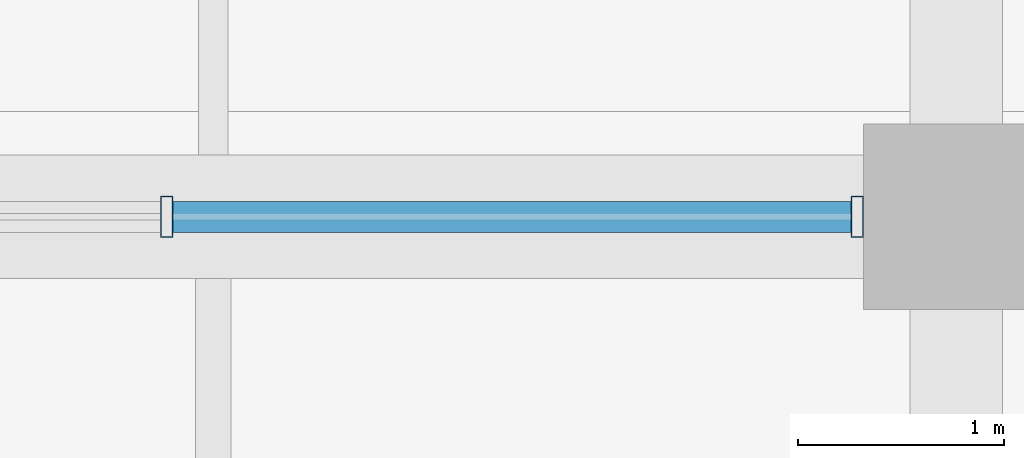
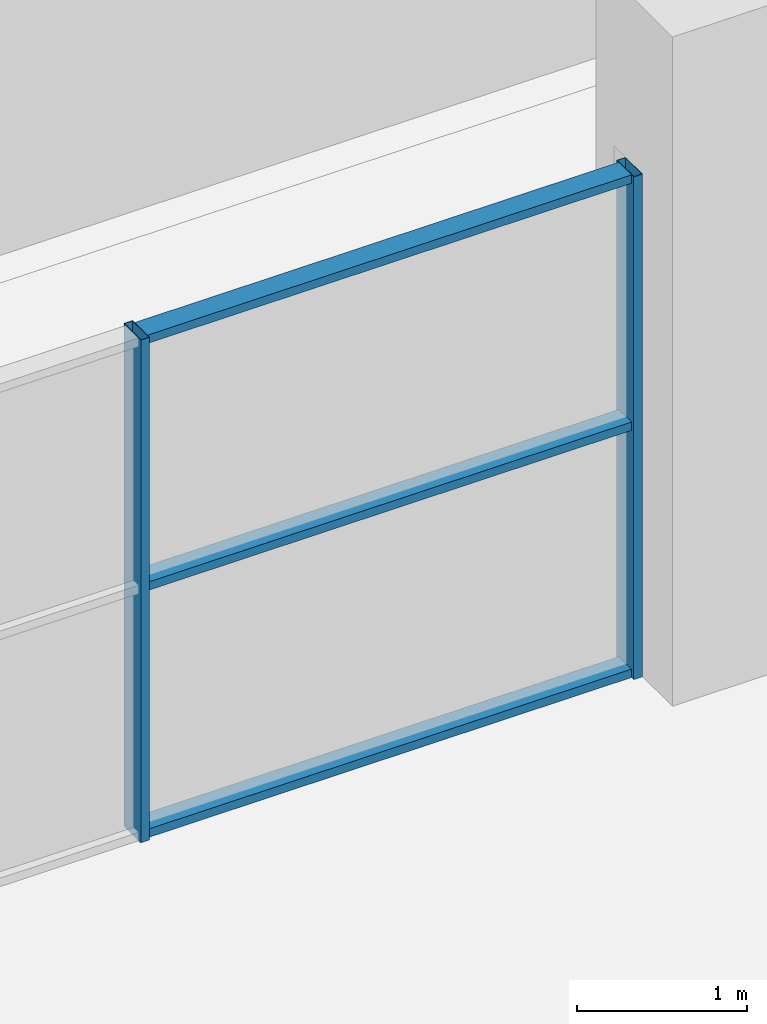
# One storey, part 47 of 130: 5 members, 1 element without a shape of its own.
"""IFC4 building model written with IfcOpenShell, lengths in metres."""

from ifc_helpers import new_model, si_unit, direction, frame, origin, origin_2d, place, context, subcontext, project, spatial, hollow_rectangle, extrude, material, material_profile, profile_set, type_object, element, aggregate, save


model = new_model("IFC4")

# Units and contexts
model_context = context("Model", 3, precision=1e-05, world=origin(), true_north=direction((0.0, 1.0)))
body_context = subcontext(model_context, "Body", "Model", "MODEL_VIEW")
ifc_project = project(units=[si_unit("LENGTHUNIT", "METRE"), si_unit("AREAUNIT", "SQUARE_METRE"), si_unit("VOLUMEUNIT", "CUBIC_METRE"), si_unit("PLANEANGLEUNIT", "RADIAN"), si_unit("MASSUNIT", "GRAM", prefix="KILO"), si_unit("THERMODYNAMICTEMPERATUREUNIT", "KELVIN")], contexts=[model_context])

# Site, building, storey
site_placement = place(None, origin())
site = spatial("IfcSite", under=ifc_project, at=site_placement, CompositionType="ELEMENT")
building_placement = place(site_placement, origin())
building = spatial("IfcBuilding", under=site, at=building_placement, Name="Nduvali Passage Aquatics Centre", CompositionType="ELEMENT")
storey_placement = place(building_placement, origin())
storey = spatial("IfcBuildingStorey", under=building, at=storey_placement, Name="L00", CompositionType="ELEMENT", Elevation=0.0)

# Curtain wall, members
ifc_material = material(Name="Aluminium EN AW-6063 T6", Category="aluminium")
curtain_wall_type = type_object("IfcCurtainWallType", Name="ENV-CW-HALL", PredefinedType="NOTDEFINED", material=ifc_material)
curtain_wall_placement = place(storey_placement, origin())
curtain_wall = element("IfcCurtainWall", 1, at=curtain_wall_placement, inside=storey, type_object=curtain_wall_type, Name="L00 North Pool Hall Hydro-Pool Screen 060", PredefinedType="NOTDEFINED")
ifc_material_profile_1 = material_profile(ifc_material, hollow_rectangle(XDim=0.06005859375, YDim=0.199951171875, WallThickness=0.00390625, at=origin_2d()), Name="ALU MULLION 60x200x4")
ifc_profile_set_1 = profile_set([ifc_material_profile_1], Name="Aluminium EN AW-6063 T6")
member_type_1 = type_object("IfcMemberType", Name="ENV-MEM-MUL80", PredefinedType="MULLION", material=ifc_profile_set_1)
member_1_placement = place(storey_placement, frame((64.574951171875, 92.39990234375, 0.0), z_axis=(0.0, 0.0, 1.0), x_axis=(1.0, 0.0, 0.0)))
member_1 = element("IfcMember", 2, at=member_1_placement, type_object=member_type_1, Name="North Pool Hall Hydro-Pool Screen Mullion 4", PredefinedType="MULLION", context=body_context, shape_type="SweptSolid", body=[
    extrude(hollow_rectangle(XDim=0.06005859375, YDim=0.199951171875, WallThickness=0.00390625, at=origin_2d()), origin(), (0.0, 0.0, 1.0), 3.605712890625),
])
member_2_placement = place(storey_placement, frame((67.919921875, 92.39990234375, 0.0), z_axis=(0.0, 0.0, 1.0), x_axis=(1.0, 0.0, 0.0)))
member_2 = element("IfcMember", 3, at=member_2_placement, type_object=member_type_1, Name="North Pool Hall Hydro-Pool Screen Mullion 5", PredefinedType="MULLION", context=body_context, shape_type="SweptSolid", body=[
    extrude(hollow_rectangle(XDim=0.06005859375, YDim=0.199951171875, WallThickness=0.00390625, at=origin_2d()), origin(), (0.0, 0.0, 1.0), 3.605712890625),
])
ifc_material_profile_2 = material_profile(ifc_material, hollow_rectangle(XDim=0.14990234375, YDim=0.06005859375, WallThickness=0.00390625, at=origin_2d()), Name="ALU TRANSOM 150x60x4")
ifc_profile_set_2 = profile_set([ifc_material_profile_2], Name="Aluminium EN AW-6063 T6")
member_type_2 = type_object("IfcMemberType", Name="ENV-MEM-TRN80", PredefinedType="USERDEFINED", material=ifc_profile_set_2)
member_3_placement = place(storey_placement, frame((64.60498046875, 92.39990234375, 0.030029296875), z_axis=(1.0, 0.0, 0.0), x_axis=(0.0, 1.0, 0.0)))
member_3 = element("IfcMember", 4, at=member_3_placement, type_object=member_type_2, Name="North Pool Hall Hydro-Pool Screen Transom B4-R0", ObjectType="TRANSOM", PredefinedType="USERDEFINED", context=body_context, shape_type="SweptSolid", body=[
    extrude(hollow_rectangle(XDim=0.14990234375, YDim=0.06005859375, WallThickness=0.00390625, at=origin_2d()), origin(), (0.0, 0.0, 1.0), 3.284912109375),
])
member_4_placement = place(storey_placement, frame((64.60498046875, 92.39990234375, 1.802734375), z_axis=(1.0, 0.0, 0.0), x_axis=(0.0, 1.0, 0.0)))
member_4 = element("IfcMember", 5, at=member_4_placement, type_object=member_type_2, Name="North Pool Hall Hydro-Pool Screen Transom B4-R1", ObjectType="TRANSOM", PredefinedType="USERDEFINED", context=body_context, shape_type="SweptSolid", body=[
    extrude(hollow_rectangle(XDim=0.14990234375, YDim=0.06005859375, WallThickness=0.00390625, at=origin_2d()), origin(), (0.0, 0.0, 1.0), 3.284912109375),
])
member_5_placement = place(storey_placement, frame((64.60498046875, 92.39990234375, 3.57568359375), z_axis=(1.0, 0.0, 0.0), x_axis=(0.0, 1.0, 0.0)))
member_5 = element("IfcMember", 6, at=member_5_placement, type_object=member_type_2, Name="North Pool Hall Hydro-Pool Screen Transom B4-R2", ObjectType="TRANSOM", PredefinedType="USERDEFINED", context=body_context, shape_type="SweptSolid", body=[
    extrude(hollow_rectangle(XDim=0.14990234375, YDim=0.06005859375, WallThickness=0.00390625, at=origin_2d()), origin(), (0.0, 0.0, 1.0), 3.284912109375),
])
aggregate(curtain_wall, [member_1, member_2, member_3, member_4, member_5])

save(model, "model.ifc")
